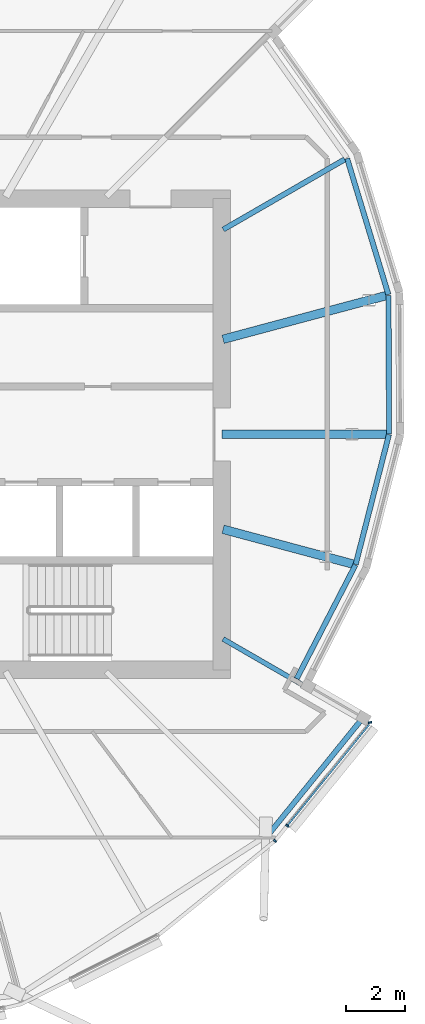
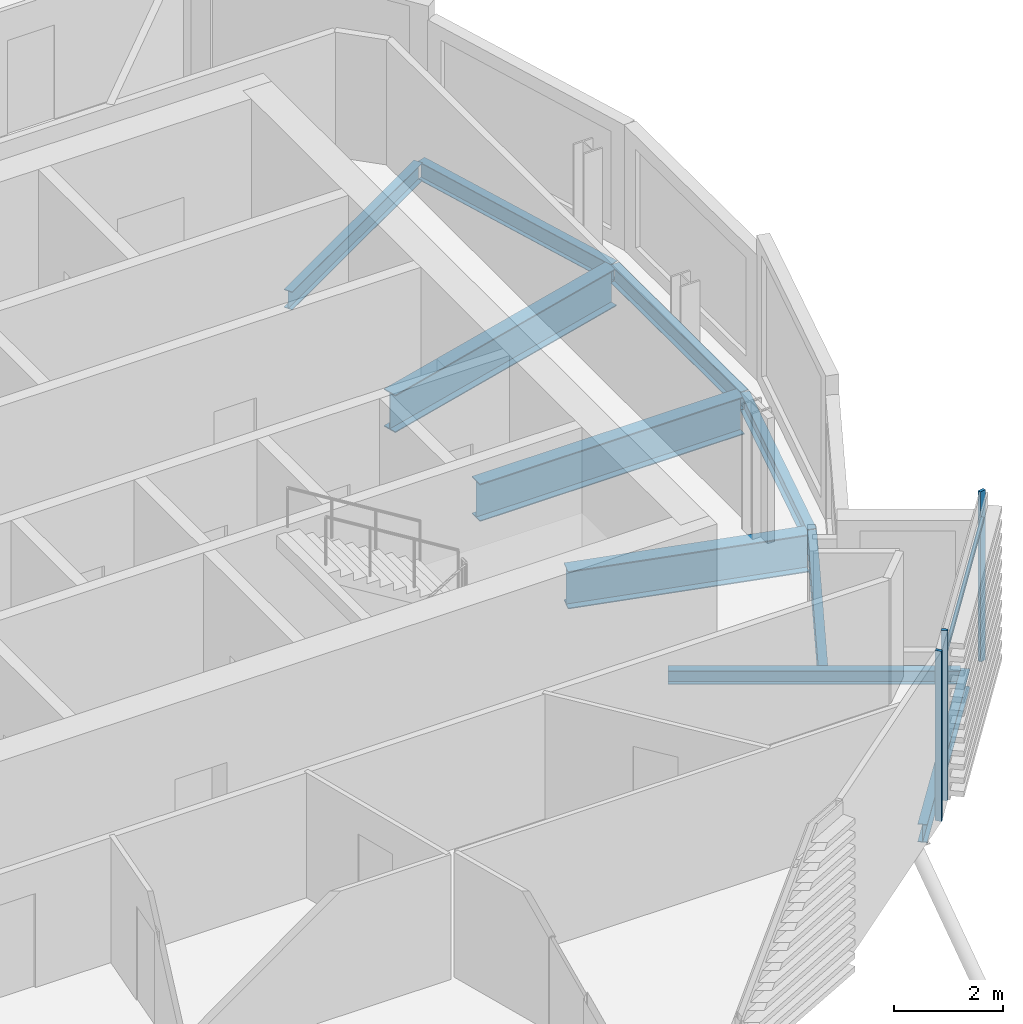
# One storey, part 15 of 36: 10 beams, 4 members, 1 element without a shape of its own.
"""IFC4 building model written with IfcOpenShell, lengths in metres."""

from ifc_helpers import new_model, si_unit, direction, frame, origin, origin_2d, place, context, subcontext, project, spatial, rectangle, i_section, extrude, material, material_profile, profile_set, type_object, element, aggregate, save


model = new_model("IFC4")

# Units and contexts
model_context = context("Model", 3, precision=1e-05, world=origin(), true_north=direction((0.0, 1.0)))
body_context = subcontext(model_context, "Body", "Model", "MODEL_VIEW")
ifc_project = project(units=[si_unit("LENGTHUNIT", "METRE"), si_unit("AREAUNIT", "SQUARE_METRE"), si_unit("VOLUMEUNIT", "CUBIC_METRE"), si_unit("PLANEANGLEUNIT", "RADIAN"), si_unit("MASSUNIT", "GRAM", prefix="KILO")], contexts=[model_context])

# Site, building, storey
site_placement = place(None, origin())
site = spatial("IfcSite", under=ifc_project, at=site_placement, CompositionType="ELEMENT")
building_placement = place(site_placement, origin())
building = spatial("IfcBuilding", under=site, at=building_placement, Name="Rimbun Link Towers", CompositionType="ELEMENT")
storey_placement = place(building_placement, frame((0.0, 0.0, 189.300048828125)))
storey = spatial("IfcBuildingStorey", under=building, at=storey_placement, Name="L46", CompositionType="ELEMENT", Elevation=189.300048828125)

# Curtain wall, members
ifc_material_1 = material(Name="Aluminium 6063-T6 and low-iron glass", Category="aluminium")
curtain_wall_type = type_object("IfcCurtainWallType", Name="CW1-Z3 unitised vision wall (zone 3)", PredefinedType="NOTDEFINED", material=ifc_material_1)
curtain_wall_placement = place(storey_placement, origin())
curtain_wall = element("IfcCurtainWall", 1, at=curtain_wall_placement, inside=storey, type_object=curtain_wall_type, Name="CW1 L46 T2", PredefinedType="NOTDEFINED")
ifc_material_2 = material(Name="Aluminium 6063-T6", Category="aluminium")
ifc_material_profile_1 = material_profile(ifc_material_2, rectangle(XDim=0.1201171875, YDim=0.06005859375, at=origin_2d()), Name="MULLION 60X120")
ifc_profile_set_1 = profile_set([ifc_material_profile_1], Name="Aluminium 6063-T6")
member_type_1 = type_object("IfcMemberType", Name="CW1 mullion 60X120", PredefinedType="MULLION", material=ifc_profile_set_1)
member_1_placement = place(storey_placement, frame((45.5517578125, -13.810546875, 0.0), z_axis=(0.0, 0.0, 1.0), x_axis=(0.629146339344, -0.777286873483, 0.0)))
member_1 = element("IfcMember", 2, at=member_1_placement, type_object=member_type_1, Name="CW1 mullion", PredefinedType="MULLION", context=body_context, shape_type="SweptSolid", body=[
    extrude(rectangle(XDim=0.1201171875, YDim=0.06005859375, at=origin_2d()), origin(), (0.0, 0.0, 1.0), 3.800048828125),
])
member_2_placement = place(storey_placement, frame((48.781982421875, -9.78857421875, 0.0), z_axis=(0.0, 0.0, 1.0), x_axis=(0.983235654345, 0.182339375958, 0.0)))
member_2 = element("IfcMember", 3, at=member_2_placement, type_object=member_type_1, Name="CW1 mullion", PredefinedType="MULLION", context=body_context, shape_type="SweptSolid", body=[
    extrude(rectangle(XDim=0.1201171875, YDim=0.06005859375, at=origin_2d()), origin(), (0.0, 0.0, 1.0), 3.800048828125),
])
member_3_placement = place(storey_placement, frame((45.969482421875, -13.296630859375, 0.0), z_axis=(0.0, 0.0, 1.0), x_axis=(0.777286873483, -0.629146339344, 0.0)))
member_3 = element("IfcMember", 4, at=member_3_placement, type_object=member_type_1, Name="CW1 mullion", PredefinedType="MULLION", context=body_context, shape_type="SweptSolid", body=[
    extrude(rectangle(XDim=0.1201171875, YDim=0.06005859375, at=origin_2d()), origin(), (0.0, 0.0, 1.0), 3.800048828125),
])
ifc_material_3 = material(Name="Aluminium 6063-T6", Category="aluminium")
ifc_material_profile_2 = material_profile(ifc_material_3, rectangle(XDim=0.06005859375, YDim=0.1201171875, at=origin_2d()), Name="TRANSOM 60X120")
ifc_profile_set_2 = profile_set([ifc_material_profile_2], Name="Aluminium 6063-T6")
member_type_2 = type_object("IfcMemberType", Name="CW1 transom 60X120", PredefinedType="USERDEFINED", material=ifc_profile_set_2)
member_4_placement = place(storey_placement, frame((48.749267578125, -9.859130859375, 3.199951171875), z_axis=(-0.629153440158, -0.777281125936, 0.0), x_axis=(0.777281125936, -0.629153440158, 0.0)))
member_4 = element("IfcMember", 5, at=member_4_placement, type_object=member_type_2, Name="CW1 transom", ObjectType="TRANSOM", PredefinedType="USERDEFINED", context=body_context, shape_type="SweptSolid", body=[
    extrude(rectangle(XDim=0.06005859375, YDim=0.1201171875, at=origin_2d()), origin(), (0.0, 0.0, 1.0), 4.390625),
])
aggregate(curtain_wall, [member_1, member_2, member_3, member_4])

# Beams
ifc_material_4 = material(Name="Steel S355J2", Category="steel")
ifc_material_profile_3 = material_profile(ifc_material_4, i_section(OverallWidth=0.1650390625, OverallDepth=0.303466796875, WebThickness=0.006103515625, FlangeThickness=0.01025390625, at=origin_2d()), Name="UB 305x165x40")
ifc_profile_set_3 = profile_set([ifc_material_profile_3], Name="Steel S355J2")
beam_type_1 = type_object("IfcBeamType", Name="UB 305x165x40", PredefinedType="BEAM", material=ifc_profile_set_3)
beam_1_placement = place(storey_placement, frame((43.7919921875, -6.952392578125, -0.3017578125), z_axis=(0.866032834954, -0.499987128616, 0.0), x_axis=(0.499987128616, 0.866032834954, 0.0)))
element("IfcBeam", 6, at=beam_1_placement, inside=storey, type_object=beam_type_1, Name="Radial beam T2 L46 19", PredefinedType="BEAM", context=body_context, shape_type="SweptSolid", body=[
    extrude(i_section(OverallWidth=0.1650390625, OverallDepth=0.303466796875, WebThickness=0.006103515625, FlangeThickness=0.01025390625, at=origin_2d()), origin(), (0.0, 0.0, 1.0), 5.349853515625),
])
ifc_material_5 = material(Name="Steel S355J2", Category="steel")
ifc_material_profile_4 = material_profile(ifc_material_5, i_section(OverallWidth=0.177978515625, OverallDepth=0.406494140625, WebThickness=0.0078125, FlangeThickness=0.0126953125, at=origin_2d()), Name="UB 406x178x60")
ifc_profile_set_4 = profile_set([ifc_material_profile_4], Name="Steel S355J2")
beam_type_2 = type_object("IfcBeamType", Name="UB 406x178x60", PredefinedType="BEAM", material=ifc_profile_set_4)
beam_2_placement = place(storey_placement, frame((43.79541015625, 6.954345703125, -0.353271484375), z_axis=(0.866016540383, 0.500015351548, 0.0), x_axis=(-0.500015351548, 0.866016540383, 0.0)))
element("IfcBeam", 7, at=beam_2_placement, inside=storey, type_object=beam_type_2, Name="Radial beam T2 L46 23", PredefinedType="BEAM", context=body_context, shape_type="SweptSolid", body=[
    extrude(i_section(OverallWidth=0.177978515625, OverallDepth=0.406494140625, WebThickness=0.0078125, FlangeThickness=0.0126953125, at=origin_2d()), origin(), (0.0, 0.0, 1.0), 4.761962890625),
])
beam_3_placement = place(storey_placement, frame((45.3369140625, -13.58544921875, -0.353271484375), z_axis=(0.629139614916, 0.777292316277, 0.0), x_axis=(-0.777292316277, 0.629139614916, 0.0)))
element("IfcBeam", 8, at=beam_3_placement, inside=storey, type_object=beam_type_2, Name="Edge beam T2 L46 18", PredefinedType="BEAM", context=body_context, shape_type="SweptSolid", body=[
    extrude(i_section(OverallWidth=0.177978515625, OverallDepth=0.406494140625, WebThickness=0.0078125, FlangeThickness=0.0126953125, at=origin_2d()), origin(), (0.0, 0.0, 1.0), 5.03271484375),
])
beam_4_placement = place(storey_placement, frame((46.292236328125, -8.294921875, -0.353271484375), z_axis=(0.459150356136, 0.888358570882, 0.0), x_axis=(-0.888358570882, 0.459150356136, 0.0)))
element("IfcBeam", 9, at=beam_4_placement, inside=storey, type_object=beam_type_2, Name="Edge beam T2 L46 19 recess", PredefinedType="BEAM", context=body_context, shape_type="SweptSolid", body=[
    extrude(i_section(OverallWidth=0.177978515625, OverallDepth=0.406494140625, WebThickness=0.0078125, FlangeThickness=0.0126953125, at=origin_2d()), origin(), (0.0, 0.0, 1.0), 4.337890625),
])
beam_5_placement = place(storey_placement, frame((48.291748046875, -4.4208984375, -0.353271484375), z_axis=(0.248550847241, 0.968618849876, 0.0), x_axis=(-0.968618849876, 0.248550847241, 0.0)))
element("IfcBeam", 10, at=beam_5_placement, inside=storey, type_object=beam_type_2, Name="Edge beam T2 L46 20 recess", PredefinedType="BEAM", context=body_context, shape_type="SweptSolid", body=[
    extrude(i_section(OverallWidth=0.177978515625, OverallDepth=0.406494140625, WebThickness=0.0078125, FlangeThickness=0.0126953125, at=origin_2d()), origin(), (0.0, 0.0, 1.0), 4.5517578125),
])
beam_6_placement = place(storey_placement, frame((49.426025390625, 0.012451171875, -0.353271484375), z_axis=(-0.003891828759, 0.999992426806, 0.0), x_axis=(-0.999992426806, -0.003891828759, 0.0)))
element("IfcBeam", 11, at=beam_6_placement, inside=storey, type_object=beam_type_2, Name="Edge beam T2 L46 21 recess", PredefinedType="BEAM", context=body_context, shape_type="SweptSolid", body=[
    extrude(i_section(OverallWidth=0.177978515625, OverallDepth=0.406494140625, WebThickness=0.0078125, FlangeThickness=0.0126953125, at=origin_2d()), origin(), (0.0, 0.0, 1.0), 4.704833984375),
])
beam_7_placement = place(storey_placement, frame((49.40380859375, 4.744873046875, -0.353271484375), z_axis=(-0.290310480338, 0.956932508073, 0.0), x_axis=(-0.956932508073, -0.290310480338, 0.0)))
element("IfcBeam", 12, at=beam_7_placement, inside=storey, type_object=beam_type_2, Name="Edge beam T2 L46 22 recess", PredefinedType="BEAM", context=body_context, shape_type="SweptSolid", body=[
    extrude(i_section(OverallWidth=0.177978515625, OverallDepth=0.406494140625, WebThickness=0.0078125, FlangeThickness=0.0126953125, at=origin_2d()), origin(), (0.0, 0.0, 1.0), 4.828857421875),
])
ifc_material_6 = material(Name="Steel S355J2", Category="steel")
ifc_material_profile_5 = material_profile(ifc_material_6, i_section(OverallWidth=0.29248046875, OverallDepth=0.8408203125, WebThickness=0.0126953125, FlangeThickness=0.021728515625, at=origin_2d()), Name="UB 838x292x194")
ifc_profile_set_5 = profile_set([ifc_material_profile_5], Name="Steel S355J2")
beam_type_3 = type_object("IfcBeamType", Name="UB 838x292x194", PredefinedType="BEAM", material=ifc_profile_set_5)
beam_8_placement = place(storey_placement, frame((43.788818359375, -3.225830078125, -0.570556640625), z_axis=(0.965928253134, -0.258809987824, 0.0), x_axis=(0.258809987824, 0.965928253134, 0.0)))
element("IfcBeam", 13, at=beam_8_placement, inside=storey, type_object=beam_type_3, Name="Radial beam T2 L46 20", PredefinedType="BEAM", context=body_context, shape_type="SweptSolid", body=[
    extrude(i_section(OverallWidth=0.29248046875, OverallDepth=0.8408203125, WebThickness=0.0126953125, FlangeThickness=0.021728515625, at=origin_2d()), origin(), (0.0, 0.0, 1.0), 4.568603515625),
])
beam_9_placement = place(storey_placement, frame((43.7509765625, 0.0, -0.570556640625), z_axis=(1.0, 0.0, 0.0), x_axis=(0.0, 1.0, 0.0)))
element("IfcBeam", 14, at=beam_9_placement, inside=storey, type_object=beam_type_3, Name="Radial beam T2 L46 21", PredefinedType="BEAM", context=body_context, shape_type="SweptSolid", body=[
    extrude(i_section(OverallWidth=0.29248046875, OverallDepth=0.8408203125, WebThickness=0.0126953125, FlangeThickness=0.021728515625, at=origin_2d()), origin(), (0.0, 0.0, 1.0), 5.58447265625),
])
beam_10_placement = place(storey_placement, frame((43.788818359375, 3.225830078125, -0.570556640625), z_axis=(0.965925025357, 0.258822034203, 0.0), x_axis=(-0.258822034203, 0.965925025357, 0.0)))
element("IfcBeam", 15, at=beam_10_placement, inside=storey, type_object=beam_type_3, Name="Radial beam T2 L46 22", PredefinedType="BEAM", context=body_context, shape_type="SweptSolid", body=[
    extrude(i_section(OverallWidth=0.29248046875, OverallDepth=0.8408203125, WebThickness=0.0126953125, FlangeThickness=0.021728515625, at=origin_2d()), origin(), (0.0, 0.0, 1.0), 5.7265625),
])

save(model, "model.ifc")
